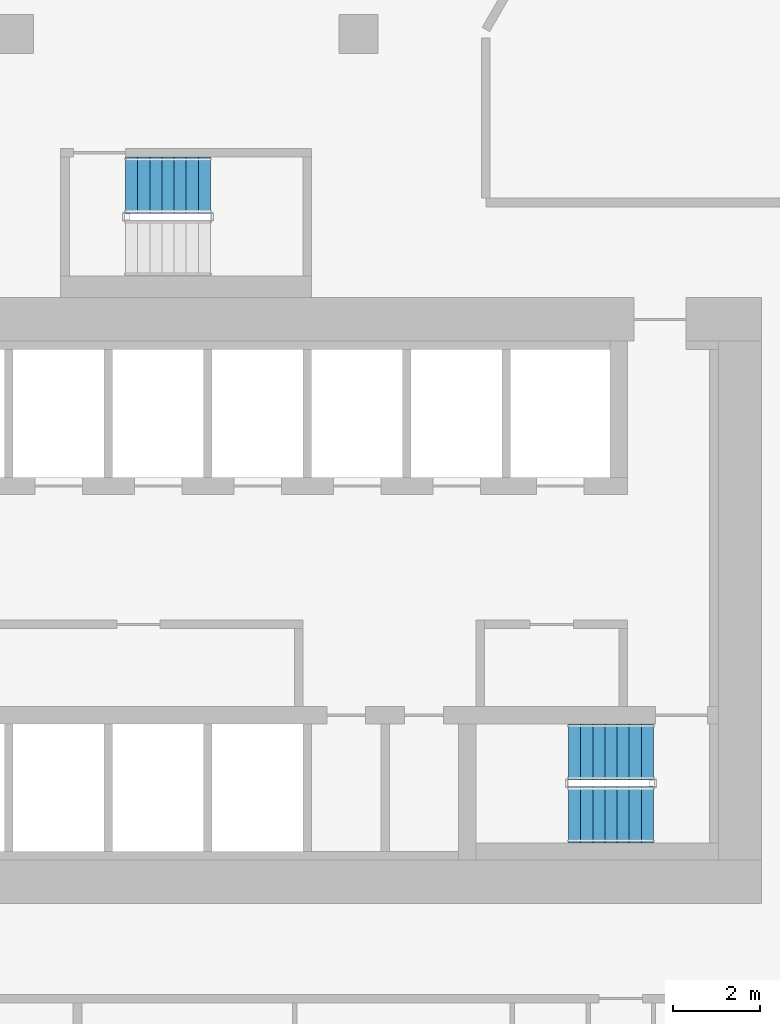
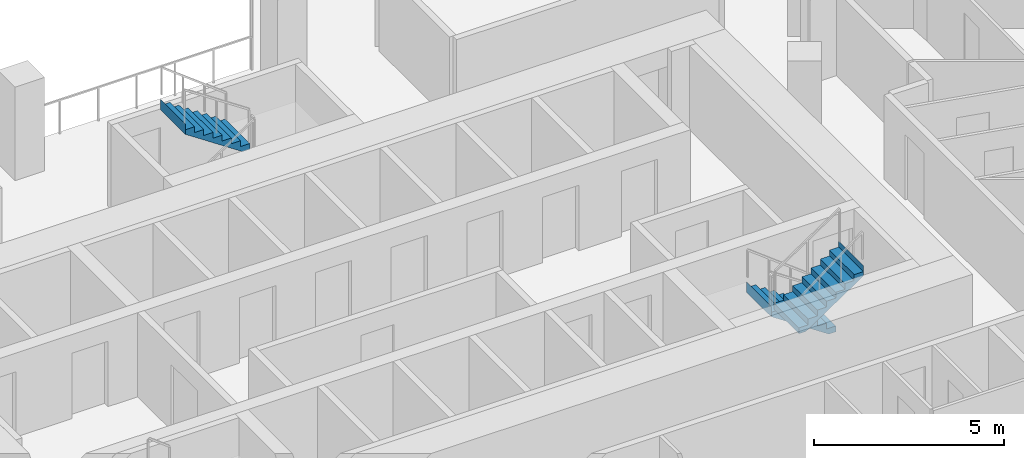
# One storey, part 14 of 18: 3 stair flights, 2 elements without a shape of their own.
"""IFC4 building model written with IfcOpenShell, lengths in metres."""

from ifc_helpers import new_model, si_unit, direction, frame, origin, place, context, subcontext, project, spatial, triangles, material, type_object, element, aggregate, save


model = new_model("IFC4")

# Units and contexts
model_context = context("Model", 3, precision=1e-05, world=origin(), true_north=direction((0.0, 1.0)))
body_context = subcontext(model_context, "Body", "Model", "MODEL_VIEW")
ifc_project = project(units=[si_unit("LENGTHUNIT", "METRE"), si_unit("AREAUNIT", "SQUARE_METRE"), si_unit("VOLUMEUNIT", "CUBIC_METRE"), si_unit("PLANEANGLEUNIT", "RADIAN"), si_unit("MASSUNIT", "GRAM", prefix="KILO")], contexts=[model_context])

# Site, building, storey
site_placement = place(None, origin())
site = spatial("IfcSite", under=ifc_project, at=site_placement, CompositionType="ELEMENT")
building_placement = place(site_placement, origin())
building = spatial("IfcBuilding", under=site, at=building_placement, Name="Beryl Residences", CompositionType="ELEMENT")
storey_placement = place(building_placement, frame((0.0, 0.0, 87.0)))
storey = spatial("IfcBuildingStorey", under=building, at=storey_placement, Name="L26", CompositionType="ELEMENT", Elevation=87.0)

# Stair, stair flights
ifc_material_1 = material(Name="Concrete C40/50", Category="concrete")
stair_type = type_object("IfcStairType", Name="ST1 protected exit stair, half-turn, 1300 mm flights", PredefinedType="HALF_TURN_STAIR", material=ifc_material_1)
stair_1_placement = place(storey_placement, origin())
stair_1 = element("IfcStair", 1, at=stair_1_placement, inside=storey, type_object=stair_type, Name="L26 PROTECTED EXIT STAIR ST-3", PredefinedType="HALF_TURN_STAIR")
ifc_material_2 = material(Name="Concrete C40/50", Category="concrete")
stair_flight_type = type_object("IfcStairFlightType", Name="SF1 stair flight 1300 mm", PredefinedType="STRAIGHT", material=ifc_material_2)
stair_flight_1_placement = place(storey_placement, frame((10.800048828125, -15.5, 0.0), z_axis=(0.0, 0.0, 1.0), x_axis=(-1.0, 0.0, 0.0)))
stair_flight_1 = element("IfcStairFlight", 2, at=stair_flight_1_placement, type_object=stair_flight_type, Name="ST-3 flight 1", NumberOfRisers=8, NumberOfTreads=7, PredefinedType="STRAIGHT", RiserHeight=0.1875, TreadLength=0.28, context=body_context, shape_type="Tessellation", body=[
    triangles([(0.0, -0.64990234375, 0.0), (0.0, -0.324951171875, 0.0), (0.0, 0.0, 0.0), (0.0, 0.324951171875, 0.0), (0.0, 0.64990234375, 0.0), (0.0, -0.64990234375, 0.1875), (0.0, -0.324951171875, 0.1875), (0.0, 0.0, 0.1875), (0.0, 0.324951171875, 0.1875), (0.0, 0.64990234375, 0.1875), (0.280029296875, -0.64990234375, 0.1875), (0.280029296875, -0.324951171875, 0.1875), (0.280029296875, 0.0, 0.1875), (0.280029296875, 0.324951171875, 0.1875), (0.280029296875, 0.64990234375, 0.1875), (0.280029296875, -0.64990234375, 0.375), (0.280029296875, -0.324951171875, 0.375), (0.280029296875, 0.0, 0.375), (0.280029296875, 0.324951171875, 0.375), (0.280029296875, 0.64990234375, 0.375), (0.56005859375, -0.64990234375, 0.375), (0.56005859375, -0.324951171875, 0.375), (0.56005859375, 0.0, 0.375), (0.56005859375, 0.324951171875, 0.375), (0.56005859375, 0.64990234375, 0.375), (0.56005859375, -0.64990234375, 0.5625), (0.56005859375, -0.324951171875, 0.5625), (0.56005859375, 0.0, 0.5625), (0.56005859375, 0.324951171875, 0.5625), (0.56005859375, 0.64990234375, 0.5625), (0.840087890625, -0.64990234375, 0.5625), (0.840087890625, -0.324951171875, 0.5625), (0.840087890625, 0.0, 0.5625), (0.840087890625, 0.324951171875, 0.5625), (0.840087890625, 0.64990234375, 0.5625), (0.840087890625, -0.64990234375, 0.75), (0.840087890625, -0.324951171875, 0.75), (0.840087890625, 0.0, 0.75), (0.840087890625, 0.324951171875, 0.75), (0.840087890625, 0.64990234375, 0.75), (1.1201171875, -0.64990234375, 0.75), (1.1201171875, -0.324951171875, 0.75), (1.1201171875, 0.0, 0.75), (1.1201171875, 0.324951171875, 0.75), (1.1201171875, 0.64990234375, 0.75), (1.1201171875, -0.64990234375, 0.9375), (1.1201171875, -0.324951171875, 0.9375), (1.1201171875, 0.0, 0.9375), (1.1201171875, 0.324951171875, 0.9375), (1.1201171875, 0.64990234375, 0.9375), (1.39990234375, -0.64990234375, 0.9375), (1.39990234375, -0.324951171875, 0.9375), (1.39990234375, 0.0, 0.9375), (1.39990234375, 0.324951171875, 0.9375), (1.39990234375, 0.64990234375, 0.9375), (1.39990234375, -0.64990234375, 1.125), (1.39990234375, -0.324951171875, 1.125), (1.39990234375, 0.0, 1.125), (1.39990234375, 0.324951171875, 1.125), (1.39990234375, 0.64990234375, 1.125), (1.679931640625, -0.64990234375, 1.125), (1.679931640625, -0.324951171875, 1.125), (1.679931640625, 0.0, 1.125), (1.679931640625, 0.324951171875, 1.125), (1.679931640625, 0.64990234375, 1.125), (1.679931640625, -0.64990234375, 1.3125), (1.679931640625, -0.324951171875, 1.3125), (1.679931640625, 0.0, 1.3125), (1.679931640625, 0.324951171875, 1.3125), (1.679931640625, 0.64990234375, 1.3125), (1.9599609375, -0.64990234375, 1.3125), (1.9599609375, -0.324951171875, 1.3125), (1.9599609375, 0.0, 1.3125), (1.9599609375, 0.324951171875, 1.3125), (1.9599609375, 0.64990234375, 1.3125), (1.9599609375, -0.64990234375, 1.5), (1.9599609375, -0.324951171875, 1.5), (1.9599609375, 0.0, 1.5), (1.9599609375, 0.324951171875, 1.5), (1.9599609375, 0.64990234375, 1.5), (1.9609375, -0.64990234375, 1.5), (1.9609375, -0.324951171875, 1.5), (1.9609375, 0.0, 1.5), (1.9609375, 0.324951171875, 1.5), (1.9609375, 0.64990234375, 1.5), (1.9609375, -0.64990234375, 1.16796875), (1.9609375, -0.324951171875, 1.16796875), (1.9609375, 0.0, 1.16796875), (1.9609375, 0.324951171875, 1.16796875), (1.9609375, 0.64990234375, 1.16796875), (0.216796875, -0.64990234375, 0.0), (0.216796875, -0.324951171875, 0.0), (0.216796875, 0.0, 0.0), (0.216796875, 0.324951171875, 0.0), (0.216796875, 0.64990234375, 0.0)], [[1, 6, 7], [1, 7, 2], [2, 7, 8], [2, 8, 3], [3, 8, 9], [3, 9, 4], [4, 9, 10], [4, 10, 5], [6, 11, 12], [6, 12, 7], [7, 12, 13], [7, 13, 8], [8, 13, 14], [8, 14, 9], [9, 14, 15], [9, 15, 10], [11, 16, 17], [11, 17, 12], [12, 17, 18], [12, 18, 13], [13, 18, 19], [13, 19, 14], [14, 19, 20], [14, 20, 15], [16, 21, 22], [16, 22, 17], [17, 22, 23], [17, 23, 18], [18, 23, 24], [18, 24, 19], [19, 24, 25], [19, 25, 20], [21, 26, 27], [21, 27, 22], [22, 27, 28], [22, 28, 23], [23, 28, 29], [23, 29, 24], [24, 29, 30], [24, 30, 25], [26, 31, 32], [26, 32, 27], [27, 32, 33], [27, 33, 28], [28, 33, 34], [28, 34, 29], [29, 34, 35], [29, 35, 30], [31, 36, 37], [31, 37, 32], [32, 37, 38], [32, 38, 33], [33, 38, 39], [33, 39, 34], [34, 39, 40], [34, 40, 35], [36, 41, 42], [36, 42, 37], [37, 42, 43], [37, 43, 38], [38, 43, 44], [38, 44, 39], [39, 44, 45], [39, 45, 40], [41, 46, 47], [41, 47, 42], [42, 47, 48], [42, 48, 43], [43, 48, 49], [43, 49, 44], [44, 49, 50], [44, 50, 45], [46, 51, 52], [46, 52, 47], [47, 52, 53], [47, 53, 48], [48, 53, 54], [48, 54, 49], [49, 54, 55], [49, 55, 50], [51, 56, 57], [51, 57, 52], [52, 57, 58], [52, 58, 53], [53, 58, 59], [53, 59, 54], [54, 59, 60], [54, 60, 55], [56, 61, 62], [56, 62, 57], [57, 62, 63], [57, 63, 58], [58, 63, 64], [58, 64, 59], [59, 64, 65], [59, 65, 60], [61, 66, 67], [61, 67, 62], [62, 67, 68], [62, 68, 63], [63, 68, 69], [63, 69, 64], [64, 69, 70], [64, 70, 65], [66, 71, 72], [66, 72, 67], [67, 72, 73], [67, 73, 68], [68, 73, 74], [68, 74, 69], [69, 74, 75], [69, 75, 70], [71, 76, 77], [71, 77, 72], [72, 77, 78], [72, 78, 73], [73, 78, 79], [73, 79, 74], [74, 79, 80], [74, 80, 75], [76, 81, 82], [76, 82, 77], [77, 82, 83], [77, 83, 78], [78, 83, 84], [78, 84, 79], [79, 84, 85], [79, 85, 80], [81, 86, 87], [81, 87, 82], [82, 87, 88], [82, 88, 83], [83, 88, 89], [83, 89, 84], [84, 89, 90], [84, 90, 85], [86, 91, 92], [86, 92, 87], [87, 92, 93], [87, 93, 88], [88, 93, 94], [88, 94, 89], [89, 94, 95], [89, 95, 90], [91, 1, 2], [91, 2, 92], [92, 2, 3], [92, 3, 93], [93, 3, 4], [93, 4, 94], [94, 4, 5], [94, 5, 95], [1, 91, 86], [5, 90, 95], [86, 81, 76], [90, 80, 85], [86, 76, 71], [90, 75, 80], [86, 71, 66], [90, 70, 75], [86, 66, 61], [90, 65, 70], [61, 56, 51], [65, 55, 60], [86, 61, 51], [90, 55, 65], [51, 46, 41], [55, 45, 50], [86, 51, 41], [90, 45, 55], [41, 36, 31], [45, 35, 40], [86, 41, 31], [90, 35, 45], [31, 26, 21], [35, 25, 30], [86, 31, 21], [90, 25, 35], [21, 16, 11], [25, 15, 20], [86, 21, 11], [90, 15, 25], [1, 86, 11], [5, 15, 90], [11, 6, 1], [15, 5, 10]], closed=True),
])
stair_flight_2_placement = place(storey_placement, frame((8.840087890625, -16.949951171875, 1.5), z_axis=(0.0, 0.0, 1.0), x_axis=(1.0, 0.0, 0.0)))
stair_flight_2 = element("IfcStairFlight", 3, at=stair_flight_2_placement, type_object=stair_flight_type, Name="ST-3 flight 2", NumberOfRisers=8, NumberOfTreads=7, PredefinedType="STRAIGHT", RiserHeight=0.1875, TreadLength=0.28, context=body_context, shape_type="Tessellation", body=[
    triangles([(0.0, -0.64990234375, 0.0), (0.0, -0.324951171875, 0.0), (0.0, 0.0, 0.0), (0.0, 0.324951171875, 0.0), (0.0, 0.64990234375, 0.0), (0.0, -0.64990234375, 0.1875), (0.0, -0.324951171875, 0.1875), (0.0, 0.0, 0.1875), (0.0, 0.324951171875, 0.1875), (0.0, 0.64990234375, 0.1875), (0.280029296875, -0.64990234375, 0.1875), (0.280029296875, -0.324951171875, 0.1875), (0.280029296875, 0.0, 0.1875), (0.280029296875, 0.324951171875, 0.1875), (0.280029296875, 0.64990234375, 0.1875), (0.280029296875, -0.64990234375, 0.375), (0.280029296875, -0.324951171875, 0.375), (0.280029296875, 0.0, 0.375), (0.280029296875, 0.324951171875, 0.375), (0.280029296875, 0.64990234375, 0.375), (0.56005859375, -0.64990234375, 0.375), (0.56005859375, -0.324951171875, 0.375), (0.56005859375, 0.0, 0.375), (0.56005859375, 0.324951171875, 0.375), (0.56005859375, 0.64990234375, 0.375), (0.56005859375, -0.64990234375, 0.5625), (0.56005859375, -0.324951171875, 0.5625), (0.56005859375, 0.0, 0.5625), (0.56005859375, 0.324951171875, 0.5625), (0.56005859375, 0.64990234375, 0.5625), (0.840087890625, -0.64990234375, 0.5625), (0.840087890625, -0.324951171875, 0.5625), (0.840087890625, 0.0, 0.5625), (0.840087890625, 0.324951171875, 0.5625), (0.840087890625, 0.64990234375, 0.5625), (0.840087890625, -0.64990234375, 0.75), (0.840087890625, -0.324951171875, 0.75), (0.840087890625, 0.0, 0.75), (0.840087890625, 0.324951171875, 0.75), (0.840087890625, 0.64990234375, 0.75), (1.1201171875, -0.64990234375, 0.75), (1.1201171875, -0.324951171875, 0.75), (1.1201171875, 0.0, 0.75), (1.1201171875, 0.324951171875, 0.75), (1.1201171875, 0.64990234375, 0.75), (1.1201171875, -0.64990234375, 0.9375), (1.1201171875, -0.324951171875, 0.9375), (1.1201171875, 0.0, 0.9375), (1.1201171875, 0.324951171875, 0.9375), (1.1201171875, 0.64990234375, 0.9375), (1.39990234375, -0.64990234375, 0.9375), (1.39990234375, -0.324951171875, 0.9375), (1.39990234375, 0.0, 0.9375), (1.39990234375, 0.324951171875, 0.9375), (1.39990234375, 0.64990234375, 0.9375), (1.39990234375, -0.64990234375, 1.125), (1.39990234375, -0.324951171875, 1.125), (1.39990234375, 0.0, 1.125), (1.39990234375, 0.324951171875, 1.125), (1.39990234375, 0.64990234375, 1.125), (1.679931640625, -0.64990234375, 1.125), (1.679931640625, -0.324951171875, 1.125), (1.679931640625, 0.0, 1.125), (1.679931640625, 0.324951171875, 1.125), (1.679931640625, 0.64990234375, 1.125), (1.679931640625, -0.64990234375, 1.3125), (1.679931640625, -0.324951171875, 1.3125), (1.679931640625, 0.0, 1.3125), (1.679931640625, 0.324951171875, 1.3125), (1.679931640625, 0.64990234375, 1.3125), (1.9599609375, -0.64990234375, 1.3125), (1.9599609375, -0.324951171875, 1.3125), (1.9599609375, 0.0, 1.3125), (1.9599609375, 0.324951171875, 1.3125), (1.9599609375, 0.64990234375, 1.3125), (1.9599609375, -0.64990234375, 1.5), (1.9599609375, -0.324951171875, 1.5), (1.9599609375, 0.0, 1.5), (1.9599609375, 0.324951171875, 1.5), (1.9599609375, 0.64990234375, 1.5), (1.9609375, -0.64990234375, 1.5), (1.9609375, -0.324951171875, 1.5), (1.9609375, 0.0, 1.5), (1.9609375, 0.324951171875, 1.5), (1.9609375, 0.64990234375, 1.5), (1.9609375, -0.64990234375, 1.16796875), (1.9609375, -0.324951171875, 1.16796875), (1.9609375, 0.0, 1.16796875), (1.9609375, 0.324951171875, 1.16796875), (1.9609375, 0.64990234375, 1.16796875), (0.216796875, -0.64990234375, 0.0), (0.216796875, -0.324951171875, 0.0), (0.216796875, 0.0, 0.0), (0.216796875, 0.324951171875, 0.0), (0.216796875, 0.64990234375, 0.0)], [[1, 6, 7], [1, 7, 2], [2, 7, 8], [2, 8, 3], [3, 8, 9], [3, 9, 4], [4, 9, 10], [4, 10, 5], [6, 11, 12], [6, 12, 7], [7, 12, 13], [7, 13, 8], [8, 13, 14], [8, 14, 9], [9, 14, 15], [9, 15, 10], [11, 16, 17], [11, 17, 12], [12, 17, 18], [12, 18, 13], [13, 18, 19], [13, 19, 14], [14, 19, 20], [14, 20, 15], [16, 21, 22], [16, 22, 17], [17, 22, 23], [17, 23, 18], [18, 23, 24], [18, 24, 19], [19, 24, 25], [19, 25, 20], [21, 26, 27], [21, 27, 22], [22, 27, 28], [22, 28, 23], [23, 28, 29], [23, 29, 24], [24, 29, 30], [24, 30, 25], [26, 31, 32], [26, 32, 27], [27, 32, 33], [27, 33, 28], [28, 33, 34], [28, 34, 29], [29, 34, 35], [29, 35, 30], [31, 36, 37], [31, 37, 32], [32, 37, 38], [32, 38, 33], [33, 38, 39], [33, 39, 34], [34, 39, 40], [34, 40, 35], [36, 41, 42], [36, 42, 37], [37, 42, 43], [37, 43, 38], [38, 43, 44], [38, 44, 39], [39, 44, 45], [39, 45, 40], [41, 46, 47], [41, 47, 42], [42, 47, 48], [42, 48, 43], [43, 48, 49], [43, 49, 44], [44, 49, 50], [44, 50, 45], [46, 51, 52], [46, 52, 47], [47, 52, 53], [47, 53, 48], [48, 53, 54], [48, 54, 49], [49, 54, 55], [49, 55, 50], [51, 56, 57], [51, 57, 52], [52, 57, 58], [52, 58, 53], [53, 58, 59], [53, 59, 54], [54, 59, 60], [54, 60, 55], [56, 61, 62], [56, 62, 57], [57, 62, 63], [57, 63, 58], [58, 63, 64], [58, 64, 59], [59, 64, 65], [59, 65, 60], [61, 66, 67], [61, 67, 62], [62, 67, 68], [62, 68, 63], [63, 68, 69], [63, 69, 64], [64, 69, 70], [64, 70, 65], [66, 71, 72], [66, 72, 67], [67, 72, 73], [67, 73, 68], [68, 73, 74], [68, 74, 69], [69, 74, 75], [69, 75, 70], [71, 76, 77], [71, 77, 72], [72, 77, 78], [72, 78, 73], [73, 78, 79], [73, 79, 74], [74, 79, 80], [74, 80, 75], [76, 81, 82], [76, 82, 77], [77, 82, 83], [77, 83, 78], [78, 83, 84], [78, 84, 79], [79, 84, 85], [79, 85, 80], [81, 86, 87], [81, 87, 82], [82, 87, 88], [82, 88, 83], [83, 88, 89], [83, 89, 84], [84, 89, 90], [84, 90, 85], [86, 91, 92], [86, 92, 87], [87, 92, 93], [87, 93, 88], [88, 93, 94], [88, 94, 89], [89, 94, 95], [89, 95, 90], [91, 1, 2], [91, 2, 92], [92, 2, 3], [92, 3, 93], [93, 3, 4], [93, 4, 94], [94, 4, 5], [94, 5, 95], [1, 91, 86], [5, 90, 95], [86, 81, 76], [90, 80, 85], [86, 76, 71], [90, 75, 80], [86, 71, 66], [90, 70, 75], [86, 66, 61], [90, 65, 70], [61, 56, 51], [65, 55, 60], [86, 61, 51], [90, 55, 65], [51, 46, 41], [55, 45, 50], [86, 51, 41], [90, 45, 55], [41, 36, 31], [45, 35, 40], [86, 41, 31], [90, 35, 45], [31, 26, 21], [35, 25, 30], [86, 31, 21], [90, 25, 35], [21, 16, 11], [25, 15, 20], [86, 21, 11], [90, 15, 25], [1, 86, 11], [5, 15, 90], [11, 6, 1], [15, 5, 10]], closed=True),
])
aggregate(stair_1, [stair_flight_1, stair_flight_2])

# Stair, stair flight
stair_2_placement = place(storey_placement, origin())
stair_2 = element("IfcStair", 4, at=stair_2_placement, inside=storey, type_object=stair_type, Name="L26 PROTECTED EXIT STAIR ST-4", PredefinedType="HALF_TURN_STAIR")
stair_flight_3_placement = place(storey_placement, frame((0.56005859375, -2.39990234375, 1.5), z_axis=(0.0, 0.0, 1.0), x_axis=(-1.0, 0.0, 0.0)))
stair_flight_3 = element("IfcStairFlight", 5, at=stair_flight_3_placement, type_object=stair_flight_type, Name="ST-4 flight 2", NumberOfRisers=8, NumberOfTreads=7, PredefinedType="STRAIGHT", RiserHeight=0.1875, TreadLength=0.28, context=body_context, shape_type="Tessellation", body=[
    triangles([(0.0, -0.64990234375, 0.0), (0.0, -0.324951171875, 0.0), (0.0, 0.0, 0.0), (0.0, 0.324951171875, 0.0), (0.0, 0.64990234375, 0.0), (0.0, -0.64990234375, 0.1875), (0.0, -0.324951171875, 0.1875), (0.0, 0.0, 0.1875), (0.0, 0.324951171875, 0.1875), (0.0, 0.64990234375, 0.1875), (0.280029296875, -0.64990234375, 0.1875), (0.280029296875, -0.324951171875, 0.1875), (0.280029296875, 0.0, 0.1875), (0.280029296875, 0.324951171875, 0.1875), (0.280029296875, 0.64990234375, 0.1875), (0.280029296875, -0.64990234375, 0.375), (0.280029296875, -0.324951171875, 0.375), (0.280029296875, 0.0, 0.375), (0.280029296875, 0.324951171875, 0.375), (0.280029296875, 0.64990234375, 0.375), (0.56005859375, -0.64990234375, 0.375), (0.56005859375, -0.324951171875, 0.375), (0.56005859375, 0.0, 0.375), (0.56005859375, 0.324951171875, 0.375), (0.56005859375, 0.64990234375, 0.375), (0.56005859375, -0.64990234375, 0.5625), (0.56005859375, -0.324951171875, 0.5625), (0.56005859375, 0.0, 0.5625), (0.56005859375, 0.324951171875, 0.5625), (0.56005859375, 0.64990234375, 0.5625), (0.840087890625, -0.64990234375, 0.5625), (0.840087890625, -0.324951171875, 0.5625), (0.840087890625, 0.0, 0.5625), (0.840087890625, 0.324951171875, 0.5625), (0.840087890625, 0.64990234375, 0.5625), (0.840087890625, -0.64990234375, 0.75), (0.840087890625, -0.324951171875, 0.75), (0.840087890625, 0.0, 0.75), (0.840087890625, 0.324951171875, 0.75), (0.840087890625, 0.64990234375, 0.75), (1.1201171875, -0.64990234375, 0.75), (1.1201171875, -0.324951171875, 0.75), (1.1201171875, 0.0, 0.75), (1.1201171875, 0.324951171875, 0.75), (1.1201171875, 0.64990234375, 0.75), (1.1201171875, -0.64990234375, 0.9375), (1.1201171875, -0.324951171875, 0.9375), (1.1201171875, 0.0, 0.9375), (1.1201171875, 0.324951171875, 0.9375), (1.1201171875, 0.64990234375, 0.9375), (1.39990234375, -0.64990234375, 0.9375), (1.39990234375, -0.324951171875, 0.9375), (1.39990234375, 0.0, 0.9375), (1.39990234375, 0.324951171875, 0.9375), (1.39990234375, 0.64990234375, 0.9375), (1.39990234375, -0.64990234375, 1.125), (1.39990234375, -0.324951171875, 1.125), (1.39990234375, 0.0, 1.125), (1.39990234375, 0.324951171875, 1.125), (1.39990234375, 0.64990234375, 1.125), (1.679931640625, -0.64990234375, 1.125), (1.679931640625, -0.324951171875, 1.125), (1.679931640625, 0.0, 1.125), (1.679931640625, 0.324951171875, 1.125), (1.679931640625, 0.64990234375, 1.125), (1.679931640625, -0.64990234375, 1.3125), (1.679931640625, -0.324951171875, 1.3125), (1.679931640625, 0.0, 1.3125), (1.679931640625, 0.324951171875, 1.3125), (1.679931640625, 0.64990234375, 1.3125), (1.9599609375, -0.64990234375, 1.3125), (1.9599609375, -0.324951171875, 1.3125), (1.9599609375, 0.0, 1.3125), (1.9599609375, 0.324951171875, 1.3125), (1.9599609375, 0.64990234375, 1.3125), (1.9599609375, -0.64990234375, 1.5), (1.9599609375, -0.324951171875, 1.5), (1.9599609375, 0.0, 1.5), (1.9599609375, 0.324951171875, 1.5), (1.9599609375, 0.64990234375, 1.5), (1.9609375, -0.64990234375, 1.5), (1.9609375, -0.324951171875, 1.5), (1.9609375, 0.0, 1.5), (1.9609375, 0.324951171875, 1.5), (1.9609375, 0.64990234375, 1.5), (1.9609375, -0.64990234375, 1.16796875), (1.9609375, -0.324951171875, 1.16796875), (1.9609375, 0.0, 1.16796875), (1.9609375, 0.324951171875, 1.16796875), (1.9609375, 0.64990234375, 1.16796875), (0.216796875, -0.64990234375, 0.0), (0.216796875, -0.324951171875, 0.0), (0.216796875, 0.0, 0.0), (0.216796875, 0.324951171875, 0.0), (0.216796875, 0.64990234375, 0.0)], [[1, 6, 7], [1, 7, 2], [2, 7, 8], [2, 8, 3], [3, 8, 9], [3, 9, 4], [4, 9, 10], [4, 10, 5], [6, 11, 12], [6, 12, 7], [7, 12, 13], [7, 13, 8], [8, 13, 14], [8, 14, 9], [9, 14, 15], [9, 15, 10], [11, 16, 17], [11, 17, 12], [12, 17, 18], [12, 18, 13], [13, 18, 19], [13, 19, 14], [14, 19, 20], [14, 20, 15], [16, 21, 22], [16, 22, 17], [17, 22, 23], [17, 23, 18], [18, 23, 24], [18, 24, 19], [19, 24, 25], [19, 25, 20], [21, 26, 27], [21, 27, 22], [22, 27, 28], [22, 28, 23], [23, 28, 29], [23, 29, 24], [24, 29, 30], [24, 30, 25], [26, 31, 32], [26, 32, 27], [27, 32, 33], [27, 33, 28], [28, 33, 34], [28, 34, 29], [29, 34, 35], [29, 35, 30], [31, 36, 37], [31, 37, 32], [32, 37, 38], [32, 38, 33], [33, 38, 39], [33, 39, 34], [34, 39, 40], [34, 40, 35], [36, 41, 42], [36, 42, 37], [37, 42, 43], [37, 43, 38], [38, 43, 44], [38, 44, 39], [39, 44, 45], [39, 45, 40], [41, 46, 47], [41, 47, 42], [42, 47, 48], [42, 48, 43], [43, 48, 49], [43, 49, 44], [44, 49, 50], [44, 50, 45], [46, 51, 52], [46, 52, 47], [47, 52, 53], [47, 53, 48], [48, 53, 54], [48, 54, 49], [49, 54, 55], [49, 55, 50], [51, 56, 57], [51, 57, 52], [52, 57, 58], [52, 58, 53], [53, 58, 59], [53, 59, 54], [54, 59, 60], [54, 60, 55], [56, 61, 62], [56, 62, 57], [57, 62, 63], [57, 63, 58], [58, 63, 64], [58, 64, 59], [59, 64, 65], [59, 65, 60], [61, 66, 67], [61, 67, 62], [62, 67, 68], [62, 68, 63], [63, 68, 69], [63, 69, 64], [64, 69, 70], [64, 70, 65], [66, 71, 72], [66, 72, 67], [67, 72, 73], [67, 73, 68], [68, 73, 74], [68, 74, 69], [69, 74, 75], [69, 75, 70], [71, 76, 77], [71, 77, 72], [72, 77, 78], [72, 78, 73], [73, 78, 79], [73, 79, 74], [74, 79, 80], [74, 80, 75], [76, 81, 82], [76, 82, 77], [77, 82, 83], [77, 83, 78], [78, 83, 84], [78, 84, 79], [79, 84, 85], [79, 85, 80], [81, 86, 87], [81, 87, 82], [82, 87, 88], [82, 88, 83], [83, 88, 89], [83, 89, 84], [84, 89, 90], [84, 90, 85], [86, 91, 92], [86, 92, 87], [87, 92, 93], [87, 93, 88], [88, 93, 94], [88, 94, 89], [89, 94, 95], [89, 95, 90], [91, 1, 2], [91, 2, 92], [92, 2, 3], [92, 3, 93], [93, 3, 4], [93, 4, 94], [94, 4, 5], [94, 5, 95], [1, 91, 86], [5, 90, 95], [86, 81, 76], [90, 80, 85], [86, 76, 71], [90, 75, 80], [86, 71, 66], [90, 70, 75], [86, 66, 61], [90, 65, 70], [61, 56, 51], [65, 55, 60], [86, 61, 51], [90, 55, 65], [51, 46, 41], [55, 45, 50], [86, 51, 41], [90, 45, 55], [41, 36, 31], [45, 35, 40], [86, 41, 31], [90, 35, 45], [31, 26, 21], [35, 25, 30], [86, 31, 21], [90, 25, 35], [21, 16, 11], [25, 15, 20], [86, 21, 11], [90, 15, 25], [1, 86, 11], [5, 15, 90], [11, 6, 1], [15, 5, 10]], closed=True),
])
aggregate(stair_2, [stair_flight_3])

save(model, "model.ifc")
